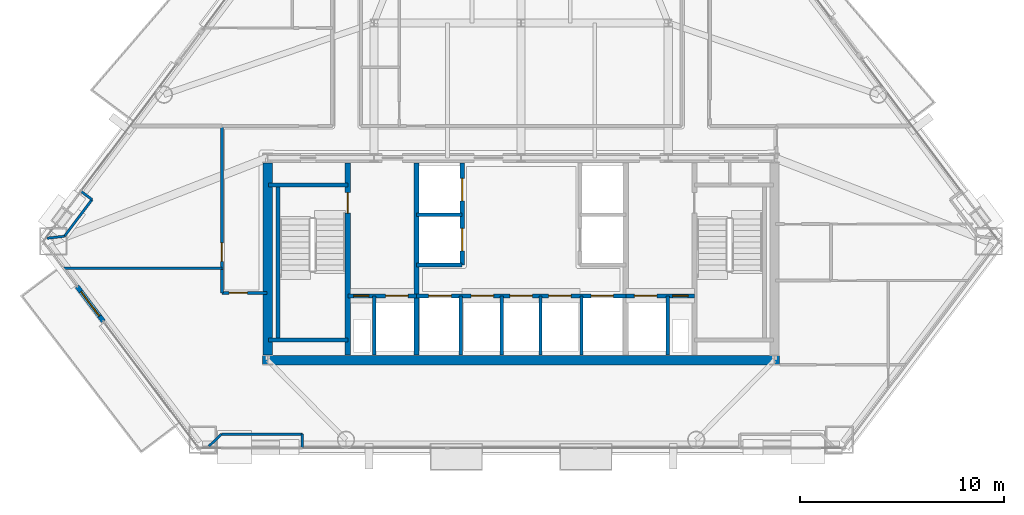
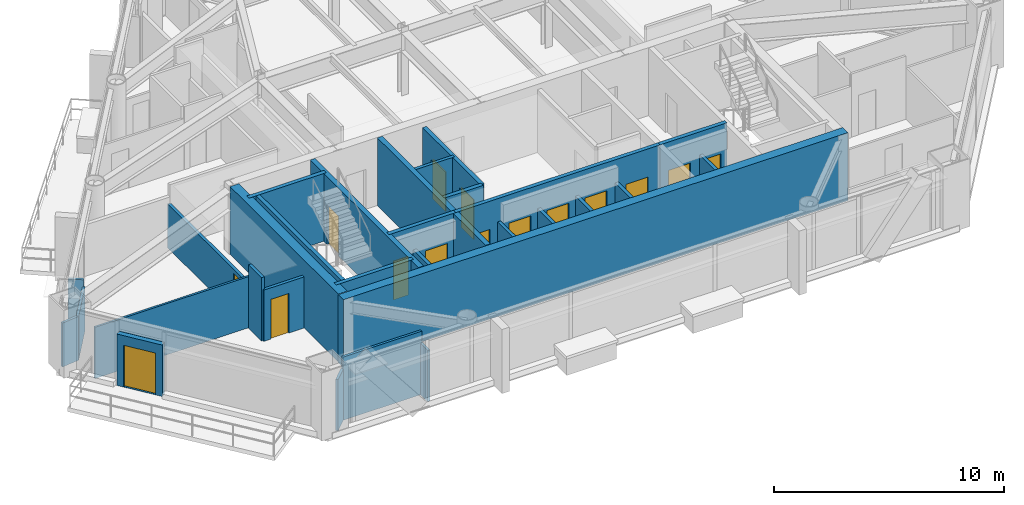
# One storey, part 9 of 14: 30 walls, 15 doors, 15 openings.
"""IFC4 building model written with IfcOpenShell, lengths in metres."""

from ifc_helpers import new_model, si_unit, direction, frame, frame_2d, origin, place, context, subcontext, project, spatial, rectangle, extrude, material, layer, layer_set, type_object, element, fill, save


model = new_model("IFC4")

# Units and contexts
model_context = context("Model", 3, precision=1e-05, world=origin(), true_north=direction((0.0, 1.0)))
body_context = subcontext(model_context, "Body", "Model", "MODEL_VIEW")
ifc_project = project(units=[si_unit("LENGTHUNIT", "METRE"), si_unit("AREAUNIT", "SQUARE_METRE"), si_unit("VOLUMEUNIT", "CUBIC_METRE"), si_unit("PLANEANGLEUNIT", "RADIAN"), si_unit("MASSUNIT", "GRAM", prefix="KILO")], contexts=[model_context])

# Site, building, storey
site_placement = place(None, origin())
site = spatial("IfcSite", under=ifc_project, at=site_placement, CompositionType="ELEMENT")
building_placement = place(site_placement, origin())
building = spatial("IfcBuilding", under=site, at=building_placement, Name="Talgorran Terracotta Tower", CompositionType="ELEMENT")
storey_placement = place(building_placement, frame((0.0, 0.0, 53.10009765625)))
storey = spatial("IfcBuildingStorey", under=building, at=storey_placement, Name="L13", CompositionType="ELEMENT", Elevation=53.10009765625)

# Wall, opening, door
ifc_material_1 = material(Name="Concrete C40/50", Category="concrete")
ifc_layer_1 = layer(ifc_material_1, 0.239990234375, Name="WT_BALCONY_SPAND")
ifc_layer_set_1 = layer_set([ifc_layer_1], Name="Concrete C40/50")
wall_type_1 = type_object("IfcWallType", Name="WT_BALCONY_SPAND", PredefinedType="STANDARD", material=ifc_layer_set_1)
wall_1_placement = place(storey_placement, frame((-21.727783203125, -10.4892578125, -0.01513671875), z_axis=(0.0, 0.0, 1.0), x_axis=(0.601441023505, -0.798917201746, 0.0)))
wall_1 = element("IfcWall", 1, at=wall_1_placement, inside=storey, type_object=wall_type_1, Name="WL-L13-BALP-BAL-SW", PredefinedType="STANDARD", context=body_context, shape_type="SweptSolid", body=[
    extrude(rectangle(XDim=2.14013671875, YDim=0.239990234375, at=frame_2d((1.070068359375, 0.0))), origin(), (0.0, 0.0, 1.0), 2.728515625),
])
opening_1_placement = place(wall_1_placement, frame((0.320068359375, 0.0, 0.014892578125)))
opening_1 = element("IfcOpeningElement", 2, at=opening_1_placement, cuts=wall_1, Name="Opening D-BAL-L13-3", PredefinedType="OPENING", context=body_context, shape_type="SweptSolid", body=[
    extrude(rectangle(XDim=1.506, YDim=2.203951171875, at=frame_2d((0.75, 1.10205078125))), frame((0.0, 0.1298828125, 0.0), z_axis=(0.0, -1.0, 0.0), x_axis=(1.0, 0.0, 0.0)), (0.0, 0.0, 1.0), 0.260009765625),
])
ifc_material_2 = material(Name="Thermally Broken Aluminium", Category="aluminium")
door_type_1 = type_object("IfcDoorType", Name="DT_BALC_1500", OperationType="SLIDING_TO_RIGHT", PredefinedType="DOOR", material=ifc_material_2)
door_1_placement = place(opening_1_placement, origin())
door_1 = element("IfcDoor", 3, at=door_1_placement, inside=storey, type_object=door_type_1, Name="DR-L13-BAL-BAL-SW", OperationType="SLIDING_TO_RIGHT", OverallHeight=2.199951171875, OverallWidth=1.5, PredefinedType="DOOR", context=body_context, shape_type="SweptSolid", body=[
    extrude(rectangle(XDim=1.5, YDim=2.199951171875, at=frame_2d((0.75, 1.10009765625))), frame((0.0, 0.02490234375, 0.0), z_axis=(0.0, -1.0, 0.0), x_axis=(1.0, 0.0, 0.0)), (0.0, 0.0, 1.0), 0.050048828125),
])
fill(opening_1, door_1)

# Walls
ifc_material_3 = material(Name="Concrete C50/60", Category="concrete")
ifc_layer_2 = layer(ifc_material_3, 0.199951171875, Name="WT_CORE_200")
ifc_layer_set_2 = layer_set([ifc_layer_2], Name="Concrete C50/60")
wall_type_2 = type_object("IfcWallType", Name="WT_CORE_200", PredefinedType="SOLIDWALL", material=ifc_layer_set_2)
for number, where, z_axis, x_axis, name in (
    (4, (-12.35009765625, -5.52001953125, 0.0), (0.0, 0.0, 1.0), (1.0, 0.0, 0.0), "WL-L13-CW-ST1-N"),
    (5, (-12.35009765625, -13.10009765625, 0.0), (0.0, 0.0, 1.0), (1.0, 0.0, 0.0), "WL-L13-CW-ST1-S"),
):
    element("IfcWall", number, at=place(storey_placement, frame(where, z_axis=z_axis, x_axis=x_axis)), inside=storey, type_object=wall_type_2, Name=name, PredefinedType="SOLIDWALL", context=body_context, shape_type="SweptSolid", body=[
        extrude(rectangle(XDim=3.8701171875, YDim=0.199951171875, at=frame_2d((1.93505859375, 0.0))), origin(), (0.0, 0.0, 1.0), 3.599853515625),
    ])
wall_2_placement = place(storey_placement, frame((-11.89990234375, -13.10009765625, 0.0), z_axis=(0.0, 0.0, 1.0), x_axis=(0.0, 1.0, 0.0)))
element("IfcWall", 6, at=wall_2_placement, inside=storey, type_object=wall_type_2, Name="WL-L13-CW-ST1-W", PredefinedType="SOLIDWALL", context=body_context, shape_type="SweptSolid", body=[
    extrude(rectangle(XDim=7.580078125, YDim=0.199951171875, at=frame_2d((3.7900390625, 0.0))), origin(), (0.0, 0.0, 1.0), 3.599853515625),
])

# Wall, openings, doors
wall_3_placement = place(storey_placement, frame((-8.47998046875, -10.949951171875, 0.0), z_axis=(0.0, 0.0, 1.0), x_axis=(1.0, 0.0, 0.0)))
wall_3 = element("IfcWall", 7, at=wall_3_placement, inside=storey, type_object=wall_type_2, Name="WL-L13-CW-H-SBW", PredefinedType="SOLIDWALL", context=body_context, shape_type="SweptSolid", body=[
    extrude(rectangle(XDim=3.35986328125, YDim=0.199951171875, at=frame_2d((1.679931640625, 0.0))), origin(), (0.0, 0.0, 1.0), 3.599853515625),
])
opening_2_placement = place(wall_3_placement, frame((0.280029296875, 0.0, 0.0)))
opening_2 = element("IfcOpeningElement", 8, at=opening_2_placement, cuts=wall_3, Name="Opening DR-RSW", PredefinedType="OPENING", context=body_context, shape_type="SweptSolid", body=[
    extrude(rectangle(XDim=0.756, YDim=2.054048828125, at=frame_2d((0.375, 1.027099609375))), frame((0.0, 0.10986328125, 0.0), z_axis=(0.0, -1.0, 0.0), x_axis=(1.0, 0.0, 0.0)), (0.0, 0.0, 1.0), 0.219970703125),
])
opening_3_placement = place(wall_3_placement, frame((1.85009765625, 0.0, 0.0)))
opening_3 = element("IfcOpeningElement", 9, at=opening_3_placement, cuts=wall_3, Name="Opening LD-FFL1", PredefinedType="OPENING", context=body_context, shape_type="SweptSolid", body=[
    extrude(rectangle(XDim=1.10609765625, YDim=2.10409765625, at=frame_2d((0.550048828125, 1.052001953125))), frame((0.0, 0.10986328125, 0.0), z_axis=(0.0, -1.0, 0.0), x_axis=(1.0, 0.0, 0.0)), (0.0, 0.0, 1.0), 0.219970703125),
])
ifc_material_4 = material(Name="Brushed Stainless Steel Grade 304", Category="steel")
door_type_2 = type_object("IfcDoorType", Name="DT_LIFT_LD1100", OperationType="DOUBLE_DOOR_SLIDING", PredefinedType="DOOR", material=ifc_material_4)
door_2_placement = place(opening_3_placement, origin())
door_2 = element("IfcDoor", 10, at=door_2_placement, inside=storey, type_object=door_type_2, Name="L13 Lift Landing Door LD-FFL1", OperationType="DOUBLE_DOOR_SLIDING", OverallHeight=2.10009765625, OverallWidth=1.10009765625, PredefinedType="DOOR", context=body_context, shape_type="SweptSolid", body=[
    extrude(rectangle(XDim=1.10009765625, YDim=2.10009765625, at=frame_2d((0.550048828125, 1.050048828125))), frame((0.0, 0.02490234375, 0.0), z_axis=(0.0, -1.0, 0.0), x_axis=(1.0, 0.0, 0.0)), (0.0, 0.0, 1.0), 0.050048828125),
])
fill(opening_3, door_2)
ifc_material_5 = material(Name="Fire-Rated Pressed Steel", Category="steel")
door_type_3 = type_object("IfcDoorType", Name="DT_RISER_750", OperationType="NOTDEFINED", PredefinedType="DOOR", material=ifc_material_5)
door_3_placement = place(opening_2_placement, origin())
door_3 = element("IfcDoor", 11, at=door_3_placement, inside=storey, type_object=door_type_3, Name="DR-RSW", OperationType="SINGLE_SWING_LEFT", OverallHeight=2.050048828125, OverallWidth=0.75, PredefinedType="DOOR", context=body_context, shape_type="SweptSolid", body=[
    extrude(rectangle(XDim=0.75, YDim=2.050048828125, at=frame_2d((0.375, 1.02490234375))), frame((0.0, 0.02490234375, 0.0), z_axis=(0.0, -1.0, 0.0), x_axis=(1.0, 0.0, 0.0)), (0.0, 0.0, 1.0), 0.050048828125),
])
fill(opening_2, door_3)

wall_4_placement = place(storey_placement, frame((-5.1201171875, -10.949951171875, 0.0), z_axis=(0.0, 0.0, 1.0), x_axis=(1.0, 0.0, 0.0)))
wall_4 = element("IfcWall", 12, at=wall_4_placement, inside=storey, type_object=wall_type_2, Name="WL-L13-CW-H-SBC", PredefinedType="SOLIDWALL", context=body_context, shape_type="SweptSolid", body=[
    extrude(rectangle(XDim=10.240234375, YDim=0.199951171875, at=frame_2d((5.1201171875, 0.0))), origin(), (0.0, 0.0, 1.0), 3.599853515625),
])
opening_4_placement = place(wall_4_placement, frame((0.60009765625, 0.0, 0.0)))
opening_4 = element("IfcOpeningElement", 13, at=opening_4_placement, cuts=wall_4, Name="Opening LD-OB1", PredefinedType="OPENING", context=body_context, shape_type="SweptSolid", body=[
    extrude(rectangle(XDim=1.10609765625, YDim=2.10409765625, at=frame_2d((0.550048828125, 1.052001953125))), frame((0.0, 0.10986328125, 0.0), z_axis=(0.0, -1.0, 0.0), x_axis=(1.0, 0.0, 0.0)), (0.0, 0.0, 1.0), 0.219970703125),
])
opening_5_placement = place(wall_4_placement, frame((2.669921875, 0.0, 0.0)))
opening_5 = element("IfcOpeningElement", 14, at=opening_5_placement, cuts=wall_4, Name="Opening LD-PLH1", PredefinedType="OPENING", context=body_context, shape_type="SweptSolid", body=[
    extrude(rectangle(XDim=1.10609765625, YDim=2.10409765625, at=frame_2d((0.550048828125, 1.052001953125))), frame((0.0, 0.10986328125, 0.0), z_axis=(0.0, -1.0, 0.0), x_axis=(1.0, 0.0, 0.0)), (0.0, 0.0, 1.0), 0.219970703125),
])
opening_6_placement = place(wall_4_placement, frame((4.570068359375, 0.0, 0.0)))
opening_6 = element("IfcOpeningElement", 15, at=opening_6_placement, cuts=wall_4, Name="Opening LD-PLH2", PredefinedType="OPENING", context=body_context, shape_type="SweptSolid", body=[
    extrude(rectangle(XDim=1.10609765625, YDim=2.10409765625, at=frame_2d((0.550048828125, 1.052001953125))), frame((0.0, 0.10986328125, 0.0), z_axis=(0.0, -1.0, 0.0), x_axis=(1.0, 0.0, 0.0)), (0.0, 0.0, 1.0), 0.219970703125),
])
opening_7_placement = place(wall_4_placement, frame((6.469970703125, 0.0, 0.0)))
opening_7 = element("IfcOpeningElement", 16, at=opening_7_placement, cuts=wall_4, Name="Opening LD-PLH3", PredefinedType="OPENING", context=body_context, shape_type="SweptSolid", body=[
    extrude(rectangle(XDim=1.10609765625, YDim=2.10409765625, at=frame_2d((0.550048828125, 1.052001953125))), frame((0.0, 0.10986328125, 0.0), z_axis=(0.0, -1.0, 0.0), x_axis=(1.0, 0.0, 0.0)), (0.0, 0.0, 1.0), 0.219970703125),
])
opening_8_placement = place(wall_4_placement, frame((8.5400390625, 0.0, 0.0)))
opening_8 = element("IfcOpeningElement", 17, at=opening_8_placement, cuts=wall_4, Name="Opening LD-SVL1", PredefinedType="OPENING", context=body_context, shape_type="SweptSolid", body=[
    extrude(rectangle(XDim=1.10609765625, YDim=2.10409765625, at=frame_2d((0.550048828125, 1.052001953125))), frame((0.0, 0.10986328125, 0.0), z_axis=(0.0, -1.0, 0.0), x_axis=(1.0, 0.0, 0.0)), (0.0, 0.0, 1.0), 0.219970703125),
])
door_4_placement = place(opening_4_placement, origin())
door_4 = element("IfcDoor", 18, at=door_4_placement, inside=storey, type_object=door_type_2, Name="L13 Lift Landing Door LD-OB1", OperationType="DOUBLE_DOOR_SLIDING", OverallHeight=2.10009765625, OverallWidth=1.10009765625, PredefinedType="DOOR", context=body_context, shape_type="SweptSolid", body=[
    extrude(rectangle(XDim=1.10009765625, YDim=2.10009765625, at=frame_2d((0.550048828125, 1.050048828125))), frame((0.0, 0.02490234375, 0.0), z_axis=(0.0, -1.0, 0.0), x_axis=(1.0, 0.0, 0.0)), (0.0, 0.0, 1.0), 0.050048828125),
])
fill(opening_4, door_4)
door_5_placement = place(opening_5_placement, origin())
door_5 = element("IfcDoor", 19, at=door_5_placement, inside=storey, type_object=door_type_2, Name="L13 Lift Landing Door LD-PLH1", OperationType="DOUBLE_DOOR_SLIDING", OverallHeight=2.10009765625, OverallWidth=1.10009765625, PredefinedType="DOOR", context=body_context, shape_type="SweptSolid", body=[
    extrude(rectangle(XDim=1.10009765625, YDim=2.10009765625, at=frame_2d((0.550048828125, 1.050048828125))), frame((0.0, 0.02490234375, 0.0), z_axis=(0.0, -1.0, 0.0), x_axis=(1.0, 0.0, 0.0)), (0.0, 0.0, 1.0), 0.050048828125),
])
fill(opening_5, door_5)
door_6_placement = place(opening_6_placement, origin())
door_6 = element("IfcDoor", 20, at=door_6_placement, inside=storey, type_object=door_type_2, Name="L13 Lift Landing Door LD-PLH2", OperationType="DOUBLE_DOOR_SLIDING", OverallHeight=2.10009765625, OverallWidth=1.10009765625, PredefinedType="DOOR", context=body_context, shape_type="SweptSolid", body=[
    extrude(rectangle(XDim=1.10009765625, YDim=2.10009765625, at=frame_2d((0.550048828125, 1.050048828125))), frame((0.0, 0.02490234375, 0.0), z_axis=(0.0, -1.0, 0.0), x_axis=(1.0, 0.0, 0.0)), (0.0, 0.0, 1.0), 0.050048828125),
])
fill(opening_6, door_6)
door_7_placement = place(opening_7_placement, origin())
door_7 = element("IfcDoor", 21, at=door_7_placement, inside=storey, type_object=door_type_2, Name="L13 Lift Landing Door LD-PLH3", OperationType="DOUBLE_DOOR_SLIDING", OverallHeight=2.10009765625, OverallWidth=1.10009765625, PredefinedType="DOOR", context=body_context, shape_type="SweptSolid", body=[
    extrude(rectangle(XDim=1.10009765625, YDim=2.10009765625, at=frame_2d((0.550048828125, 1.050048828125))), frame((0.0, 0.02490234375, 0.0), z_axis=(0.0, -1.0, 0.0), x_axis=(1.0, 0.0, 0.0)), (0.0, 0.0, 1.0), 0.050048828125),
])
fill(opening_7, door_7)
door_8_placement = place(opening_8_placement, origin())
door_8 = element("IfcDoor", 22, at=door_8_placement, inside=storey, type_object=door_type_2, Name="L13 Lift Landing Door LD-SVL1", OperationType="DOUBLE_DOOR_SLIDING", OverallHeight=2.10009765625, OverallWidth=1.10009765625, PredefinedType="DOOR", context=body_context, shape_type="SweptSolid", body=[
    extrude(rectangle(XDim=1.10009765625, YDim=2.10009765625, at=frame_2d((0.550048828125, 1.050048828125))), frame((0.0, 0.02490234375, 0.0), z_axis=(0.0, -1.0, 0.0), x_axis=(1.0, 0.0, 0.0)), (0.0, 0.0, 1.0), 0.050048828125),
])
fill(opening_8, door_8)

wall_5_placement = place(storey_placement, frame((5.1201171875, -10.949951171875, 0.0), z_axis=(0.0, 0.0, 1.0), x_axis=(1.0, 0.0, 0.0)))
wall_5 = element("IfcWall", 23, at=wall_5_placement, inside=storey, type_object=wall_type_2, Name="WL-L13-CW-H-SBE", PredefinedType="SOLIDWALL", context=body_context, shape_type="SweptSolid", body=[
    extrude(rectangle(XDim=3.35986328125, YDim=0.199951171875, at=frame_2d((1.679931640625, 0.0))), origin(), (0.0, 0.0, 1.0), 3.599853515625),
])
opening_9_placement = place(wall_5_placement, frame((0.419921875, 0.0, 0.0)))
opening_9 = element("IfcOpeningElement", 24, at=opening_9_placement, cuts=wall_5, Name="Opening LD-FFL2", PredefinedType="OPENING", context=body_context, shape_type="SweptSolid", body=[
    extrude(rectangle(XDim=1.10609765625, YDim=2.10409765625, at=frame_2d((0.550048828125, 1.052001953125))), frame((0.0, 0.10986328125, 0.0), z_axis=(0.0, -1.0, 0.0), x_axis=(1.0, 0.0, 0.0)), (0.0, 0.0, 1.0), 0.219970703125),
])
opening_10_placement = place(wall_5_placement, frame((2.300048828125, 0.0, 0.0)))
opening_10 = element("IfcOpeningElement", 25, at=opening_10_placement, cuts=wall_5, Name="Opening DR-RSE", PredefinedType="OPENING", context=body_context, shape_type="SweptSolid", body=[
    extrude(rectangle(XDim=0.756, YDim=2.054048828125, at=frame_2d((0.375, 1.027099609375))), frame((0.0, 0.10986328125, 0.0), z_axis=(0.0, -1.0, 0.0), x_axis=(1.0, 0.0, 0.0)), (0.0, 0.0, 1.0), 0.219970703125),
])
door_9_placement = place(opening_9_placement, origin())
door_9 = element("IfcDoor", 26, at=door_9_placement, inside=storey, type_object=door_type_2, Name="L13 Lift Landing Door LD-FFL2", OperationType="DOUBLE_DOOR_SLIDING", OverallHeight=2.10009765625, OverallWidth=1.10009765625, PredefinedType="DOOR", context=body_context, shape_type="SweptSolid", body=[
    extrude(rectangle(XDim=1.10009765625, YDim=2.10009765625, at=frame_2d((0.550048828125, 1.050048828125))), frame((0.0, 0.02490234375, 0.0), z_axis=(0.0, -1.0, 0.0), x_axis=(1.0, 0.0, 0.0)), (0.0, 0.0, 1.0), 0.050048828125),
])
fill(opening_9, door_9)
door_10_placement = place(opening_10_placement, origin())
door_10 = element("IfcDoor", 27, at=door_10_placement, inside=storey, type_object=door_type_3, Name="DR-RSE", OperationType="SINGLE_SWING_RIGHT", OverallHeight=2.050048828125, OverallWidth=0.75, PredefinedType="DOOR", context=body_context, shape_type="SweptSolid", body=[
    extrude(rectangle(XDim=0.75, YDim=2.050048828125, at=frame_2d((0.375, 1.02490234375))), frame((0.0, 0.02490234375, 0.0), z_axis=(0.0, -1.0, 0.0), x_axis=(1.0, 0.0, 0.0)), (0.0, 0.0, 1.0), 0.050048828125),
])
fill(opening_10, door_10)

wall_6_placement = place(storey_placement, frame((-2.8798828125, -9.449951171875, 0.0), z_axis=(0.0, 0.0, 1.0), x_axis=(0.0, 1.0, 0.0)))
wall_6 = element("IfcWall", 28, at=wall_6_placement, inside=storey, type_object=wall_type_2, Name="WL-L13-CW-V-W3", PredefinedType="SOLIDWALL", context=body_context, shape_type="SweptSolid", body=[
    extrude(rectangle(XDim=5.0, YDim=0.199951171875, at=frame_2d((2.5, 0.0))), origin(), (0.0, 0.0, 1.0), 3.349853515625),
])
opening_11_placement = place(wall_6_placement, frame((0.699951171875, 0.0, 0.0)))
opening_11 = element("IfcOpeningElement", 29, at=opening_11_placement, cuts=wall_6, Name="Opening LD-PLL1", PredefinedType="OPENING", context=body_context, shape_type="SweptSolid", body=[
    extrude(rectangle(XDim=1.10609765625, YDim=2.10409765625, at=frame_2d((0.550048828125, 1.052001953125))), frame((0.0, 0.10986328125, 0.0), z_axis=(0.0, -1.0, 0.0), x_axis=(1.0, 0.0, 0.0)), (0.0, 0.0, 1.0), 0.219970703125),
])
opening_12_placement = place(wall_6_placement, frame((3.14990234375, 0.0, 0.0)))
opening_12 = element("IfcOpeningElement", 30, at=opening_12_placement, cuts=wall_6, Name="Opening LD-PLL2", PredefinedType="OPENING", context=body_context, shape_type="SweptSolid", body=[
    extrude(rectangle(XDim=1.10609765625, YDim=2.10409765625, at=frame_2d((0.550048828125, 1.052001953125))), frame((0.0, 0.10986328125, 0.0), z_axis=(0.0, -1.0, 0.0), x_axis=(1.0, 0.0, 0.0)), (0.0, 0.0, 1.0), 0.219970703125),
])
door_11_placement = place(opening_11_placement, origin())
door_11 = element("IfcDoor", 31, at=door_11_placement, inside=storey, type_object=door_type_2, Name="L13 Lift Landing Door LD-PLL1", OperationType="DOUBLE_DOOR_SLIDING", OverallHeight=2.10009765625, OverallWidth=1.10009765625, PredefinedType="DOOR", context=body_context, shape_type="SweptSolid", body=[
    extrude(rectangle(XDim=1.10009765625, YDim=2.10009765625, at=frame_2d((0.550048828125, 1.050048828125))), frame((0.0, 0.02490234375, 0.0), z_axis=(0.0, -1.0, 0.0), x_axis=(1.0, 0.0, 0.0)), (0.0, 0.0, 1.0), 0.050048828125),
])
fill(opening_11, door_11)
door_12_placement = place(opening_12_placement, origin())
door_12 = element("IfcDoor", 32, at=door_12_placement, inside=storey, type_object=door_type_2, Name="L13 Lift Landing Door LD-PLL2", OperationType="DOUBLE_DOOR_SLIDING", OverallHeight=2.10009765625, OverallWidth=1.10009765625, PredefinedType="DOOR", context=body_context, shape_type="SweptSolid", body=[
    extrude(rectangle(XDim=1.10009765625, YDim=2.10009765625, at=frame_2d((0.550048828125, 1.050048828125))), frame((0.0, 0.02490234375, 0.0), z_axis=(0.0, -1.0, 0.0), x_axis=(1.0, 0.0, 0.0)), (0.0, 0.0, 1.0), 0.050048828125),
])
fill(opening_12, door_12)

# Wall
wall_7_placement = place(storey_placement, frame((-5.1201171875, -9.449951171875, 0.0), z_axis=(0.0, 0.0, 1.0), x_axis=(1.0, 0.0, 0.0)))
element("IfcWall", 33, at=wall_7_placement, inside=storey, type_object=wall_type_2, Name="WL-L13-CW-H-W4", PredefinedType="SOLIDWALL", context=body_context, shape_type="SweptSolid", body=[
    extrude(rectangle(XDim=2.240234375, YDim=0.199951171875, at=frame_2d((1.1201171875, 0.0))), origin(), (0.0, 0.0, 1.0), 3.349853515625),
])

# Wall, opening, door
ifc_layer_3 = layer(ifc_material_3, 0.25, Name="WT_CORE_250")
ifc_layer_set_3 = layer_set([ifc_layer_3], Name="Concrete C50/60")
wall_type_3 = type_object("IfcWallType", Name="WT_CORE_250", PredefinedType="SHEAR", material=ifc_layer_set_3)
wall_8_placement = place(storey_placement, frame((-8.47998046875, -13.85009765625, 0.0), z_axis=(0.0, 0.0, 1.0), x_axis=(0.0, 1.0, 0.0)))
wall_8 = element("IfcWall", 34, at=wall_8_placement, inside=storey, type_object=wall_type_3, Name="WL-L13-CW-V-W1", PredefinedType="SHEAR", context=body_context, shape_type="SweptSolid", body=[
    extrude(rectangle(XDim=9.400146484375, YDim=0.25, at=frame_2d((4.7001953125, 0.0))), origin(), (0.0, 0.0, 1.0), 3.599853515625),
])
opening_13_placement = place(wall_8_placement, frame((6.949951171875, 0.0, 0.0)))
opening_13 = element("IfcOpeningElement", 35, at=opening_13_placement, cuts=wall_8, Name="Opening DR-ST01", PredefinedType="OPENING", context=body_context, shape_type="SweptSolid", body=[
    extrude(rectangle(XDim=1.006, YDim=2.10409765625, at=frame_2d((0.5, 1.052001953125))), frame((0.0, 0.135009765625, 0.0), z_axis=(0.0, -1.0, 0.0), x_axis=(1.0, 0.0, 0.0)), (0.0, 0.0, 1.0), 0.27001953125),
])
door_type_4 = type_object("IfcDoorType", Name="DT_FIRE_1000", OperationType="NOTDEFINED", PredefinedType="DOOR", material=ifc_material_5)
door_13_placement = place(opening_13_placement, origin())
door_13 = element("IfcDoor", 36, at=door_13_placement, inside=storey, type_object=door_type_4, Name="DR-ST01", OperationType="SINGLE_SWING_LEFT", OverallHeight=2.10009765625, OverallWidth=1.0, PredefinedType="DOOR", context=body_context, shape_type="SweptSolid", body=[
    extrude(rectangle(XDim=1.0, YDim=2.10009765625, at=frame_2d((0.5, 1.050048828125))), frame((0.0, 0.02490234375, 0.0), z_axis=(0.0, -1.0, 0.0), x_axis=(1.0, 0.0, 0.0)), (0.0, 0.0, 1.0), 0.050048828125),
])
fill(opening_13, door_13)

# Walls
wall_9_placement = place(storey_placement, frame((-5.1201171875, -13.85009765625, 0.0), z_axis=(0.0, 0.0, 1.0), x_axis=(0.0, 1.0, 0.0)))
element("IfcWall", 37, at=wall_9_placement, inside=storey, type_object=wall_type_3, Name="WL-L13-CW-V-W2", PredefinedType="SHEAR", context=body_context, shape_type="SweptSolid", body=[
    extrude(rectangle(XDim=9.400146484375, YDim=0.25, at=frame_2d((4.7001953125, 0.0))), origin(), (0.0, 0.0, 1.0), 3.599853515625),
])
ifc_material_6 = material(Name="Concrete C65/80", Category="concrete")
ifc_layer_4 = layer(ifc_material_6, 0.449951171875, Name="WT_CORE_EXT")
ifc_layer_set_4 = layer_set([ifc_layer_4], Name="Concrete C65/80")
wall_type_4 = type_object("IfcWallType", Name="WT_CORE_EXT", PredefinedType="SHEAR", material=ifc_layer_set_4)
wall_10_placement = place(storey_placement, frame((-12.64990234375, -14.10009765625, 0.0), z_axis=(0.0, 0.0, 1.0), x_axis=(1.0, 0.0, 0.0)))
element("IfcWall", 38, at=wall_10_placement, inside=storey, type_object=wall_type_4, Name="WL-L13-CW-OUT-S", PredefinedType="SHEAR", context=body_context, shape_type="SweptSolid", body=[
    extrude(rectangle(XDim=25.2998046875, YDim=0.449951171875, at=frame_2d((12.64990234375, 0.0))), origin(), (0.0, 0.0, 1.0), 3.599853515625),
])
wall_11_placement = place(storey_placement, frame((-12.39990234375, -13.85009765625, 0.0), z_axis=(0.0, 0.0, 1.0), x_axis=(0.0, 1.0, 0.0)))
element("IfcWall", 39, at=wall_11_placement, inside=storey, type_object=wall_type_4, Name="WL-L13-CW-OUT-W", PredefinedType="SHEAR", context=body_context, shape_type="SweptSolid", body=[
    extrude(rectangle(XDim=9.400146484375, YDim=0.449951171875, at=frame_2d((4.7001953125, 0.0))), origin(), (0.0, 0.0, 1.0), 3.599853515625),
])

# Wall, opening, door
ifc_material_7 = material(Name="Fire-Rated Steel Stud Plasterboard", Category="steel")
ifc_layer_5 = layer(ifc_material_7, 0.14990234375, Name="WT_FIRE_150")
ifc_layer_set_5 = layer_set([ifc_layer_5], Name="Fire-Rated Steel Stud Plasterboard")
wall_type_5 = type_object("IfcWallType", Name="WT_FIRE_150", PredefinedType="PARTITIONING", material=ifc_layer_set_5)
wall_12_placement = place(storey_placement, frame((-14.639892578125, -9.659912109375, 0.0), z_axis=(0.0, 0.0, 1.0), x_axis=(0.0, 1.0, 0.0)))
wall_12 = element("IfcWall", 40, at=wall_12_placement, inside=storey, type_object=wall_type_5, Name="WL-L13-W-L13-R01", PredefinedType="PARTITIONING", context=body_context, shape_type="SweptSolid", body=[
    extrude(rectangle(XDim=7.02001953125, YDim=0.14990234375, at=frame_2d((3.510009765625, 0.0))), origin(), (0.0, 0.0, 1.0), 2.324951171875),
])
opening_14_placement = place(wall_12_placement, frame((0.39990234375, 0.0, 0.0)))
opening_14 = element("IfcOpeningElement", 41, at=opening_14_placement, cuts=wall_12, Name="Opening DR-L13-R01", PredefinedType="OPENING", context=body_context, shape_type="SweptSolid", body=[
    extrude(rectangle(XDim=0.90590234375, YDim=2.10409765625, at=frame_2d((0.449951171875, 1.052001953125))), frame((0.0, 0.0849609375, 0.0), z_axis=(0.0, -1.0, 0.0), x_axis=(1.0, 0.0, 0.0)), (0.0, 0.0, 1.0), 0.169921875),
])
ifc_material_8 = material(Name="Fire-Rated Timber Core", Category="wood")
door_type_5 = type_object("IfcDoorType", Name="DT_FIRE_900", OperationType="NOTDEFINED", PredefinedType="DOOR", material=ifc_material_8)
door_14_placement = place(opening_14_placement, origin())
door_14 = element("IfcDoor", 42, at=door_14_placement, inside=storey, type_object=door_type_5, Name="DR-L13-R01", OperationType="SINGLE_SWING_LEFT", OverallHeight=2.10009765625, OverallWidth=0.89990234375, PredefinedType="DOOR", context=body_context, shape_type="SweptSolid", body=[
    extrude(rectangle(XDim=0.89990234375, YDim=2.10009765625, at=frame_2d((0.449951171875, 1.050048828125))), frame((0.0, 0.02490234375, 0.0), z_axis=(0.0, -1.0, 0.0), x_axis=(1.0, 0.0, 0.0)), (0.0, 0.0, 1.0), 0.050048828125),
])
fill(opening_14, door_14)

wall_13_placement = place(storey_placement, frame((-14.639892578125, -10.800048828125, 0.0), z_axis=(0.0, 0.0, 1.0), x_axis=(1.0, 0.0, 0.0)))
wall_13 = element("IfcWall", 43, at=wall_13_placement, inside=storey, type_object=wall_type_5, Name="WL-L13-W-L13-R03", PredefinedType="PARTITIONING", context=body_context, shape_type="SweptSolid", body=[
    extrude(rectangle(XDim=2.199951171875, YDim=0.14990234375, at=frame_2d((1.10009765625, 0.0))), origin(), (0.0, 0.0, 1.0), 2.71337890625),
])
opening_15_placement = place(wall_13_placement, frame((0.3486328125, 0.0, 0.0)))
opening_15 = element("IfcOpeningElement", 44, at=opening_15_placement, cuts=wall_13, Name="Opening DR-L13-R02", PredefinedType="OPENING", context=body_context, shape_type="SweptSolid", body=[
    extrude(rectangle(XDim=0.90590234375, YDim=2.10409765625, at=frame_2d((0.449951171875, 1.052001953125))), frame((0.0, 0.0849609375, 0.0), z_axis=(0.0, -1.0, 0.0), x_axis=(1.0, 0.0, 0.0)), (0.0, 0.0, 1.0), 0.169921875),
])
door_15_placement = place(opening_15_placement, origin())
door_15 = element("IfcDoor", 45, at=door_15_placement, inside=storey, type_object=door_type_5, Name="DR-L13-R02", OperationType="SINGLE_SWING_RIGHT", OverallHeight=2.10009765625, OverallWidth=0.89990234375, PredefinedType="DOOR", context=body_context, shape_type="SweptSolid", body=[
    extrude(rectangle(XDim=0.89990234375, YDim=2.10009765625, at=frame_2d((0.449951171875, 1.050048828125))), frame((0.0, 0.02490234375, 0.0), z_axis=(0.0, -1.0, 0.0), x_axis=(1.0, 0.0, 0.0)), (0.0, 0.0, 1.0), 0.050048828125),
])
fill(opening_15, door_15)

# Walls
wall_14_placement = place(storey_placement, frame((-14.639892578125, -10.800048828125, 0.0), z_axis=(0.0, 0.0, 1.0), x_axis=(0.0, 1.0, 0.0)))
element("IfcWall", 46, at=wall_14_placement, inside=storey, type_object=wall_type_5, Name="WL-L13-W-L13-R02", PredefinedType="PARTITIONING", context=body_context, shape_type="SweptSolid", body=[
    extrude(rectangle(XDim=1.137939453125, YDim=0.14990234375, at=frame_2d((0.56884765625, 0.0))), origin(), (0.0, 0.0, 1.0), 3.349853515625),
])
ifc_material_9 = material(Name="Lightweight Steel Stud Partition", Category="steel")
ifc_layer_6 = layer(ifc_material_9, 0.10498046875, Name="WT_PART_110")
ifc_layer_set_6 = layer_set([ifc_layer_6], Name="Lightweight Steel Stud Partition")
wall_type_6 = type_object("IfcWallType", Name="WT_PART_110", PredefinedType="PARTITIONING", material=ifc_layer_set_6)
wall_15_placement = place(storey_placement, frame((-22.397216796875, -9.60009765625, 0.0), z_axis=(0.0, 0.0, 1.0), x_axis=(1.0, 0.0, 0.0)))
element("IfcWall", 47, at=wall_15_placement, inside=storey, type_object=wall_type_6, Name="WL-L13-W-L13-R21", PredefinedType="PARTITIONING", context=body_context, shape_type="SweptSolid", body=[
    extrude(rectangle(XDim=7.75732421875, YDim=0.10498046875, at=frame_2d((3.878662109375, 0.0))), origin(), (0.0, 0.0, 1.0), 2.71337890625),
])
ifc_material_10 = material(Name="Insulated Steel Stud Plasterboard", Category="steel")
ifc_layer_7 = layer(ifc_material_10, 0.1201171875, Name="WT_PART_120")
ifc_layer_set_7 = layer_set([ifc_layer_7], Name="Insulated Steel Stud Plasterboard")
wall_type_7 = type_object("IfcWallType", Name="WT_PART_120", PredefinedType="PARTITIONING", material=ifc_layer_set_7)
wall_16_placement = place(storey_placement, frame((-14.665771484375, -17.711181640625, 0.0), z_axis=(0.0, 0.0, 1.0), x_axis=(1.0, 0.0, 0.0)))
element("IfcWall", 48, at=wall_16_placement, inside=storey, type_object=wall_type_7, Name="WL-L13-BW-L13-01", PredefinedType="PARTITIONING", context=body_context, shape_type="SweptSolid", body=[
    extrude(rectangle(XDim=3.959228515625, YDim=0.1201171875, at=frame_2d((1.9794921875, 0.0))), origin(), (0.0, 0.0, 1.0), 3.349853515625),
])
wall_17_placement = place(storey_placement, frame((-20.99365234375, -6.2392578125, 0.0), z_axis=(0.0, 0.0, 1.0), x_axis=(-0.601407243549, -0.798942630861, 0.0)))
element("IfcWall", 49, at=wall_17_placement, inside=storey, type_object=wall_type_7, Name="WL-L13-BW-L13-08", PredefinedType="PARTITIONING", context=body_context, shape_type="SweptSolid", body=[
    extrude(rectangle(XDim=2.246826171875, YDim=0.1201171875, at=frame_2d((1.12353515625, 0.0))), origin(), (0.0, 0.0, 1.0), 2.324951171875),
])
wall_18_placement = place(storey_placement, frame((-15.271240234375, -18.307373046875, 0.0), z_axis=(0.0, 0.0, 1.0), x_axis=(0.712544720488, 0.701626696545, 0.0)))
element("IfcWall", 50, at=wall_18_placement, inside=storey, type_object=wall_type_7, Name="WL-L13-BW-L13-03", PredefinedType="PARTITIONING", context=body_context, shape_type="SweptSolid", body=[
    extrude(rectangle(XDim=0.849609375, YDim=0.1201171875, at=frame_2d((0.4248046875, 0.0))), origin(), (0.0, 0.0, 1.0), 2.71337890625),
])
wall_19_placement = place(storey_placement, frame((-22.344970703125, -8.034423828125, 0.0), z_axis=(0.0, 0.0, 1.0), x_axis=(-0.993721326988, -0.111883530014, 0.0)))
element("IfcWall", 51, at=wall_19_placement, inside=storey, type_object=wall_type_7, Name="WL-L13-BW-L13-09", PredefinedType="PARTITIONING", context=body_context, shape_type="SweptSolid", body=[
    extrude(rectangle(XDim=0.848876953125, YDim=0.1201171875, at=frame_2d((0.42431640625, 0.0))), origin(), (0.0, 0.0, 1.0), 2.324951171875),
])
for number, where, z_axis, x_axis, name in (
    (52, (-10.70654296875, -17.711181640625, 0.0), (0.0, 0.0, 1.0), (0.0, -1.0, 0.0), "WL-L13-BW-L13-02"),
    (53, (-21.52880859375, -5.836181640625, 0.0), (0.0, 0.0, 1.0), (0.798773936271, -0.601631281379, 0.0), "WL-L13-BW-L13-07"),
):
    element("IfcWall", number, at=place(storey_placement, frame(where, z_axis=z_axis, x_axis=x_axis)), inside=storey, type_object=wall_type_7, Name=name, PredefinedType="PARTITIONING", context=body_context, shape_type="SweptSolid", body=[
        extrude(rectangle(XDim=0.669921875, YDim=0.1201171875, at=frame_2d((0.3349609375, 0.0))), origin(), (0.0, 0.0, 1.0), 2.71337890625),
    ])
ifc_material_11 = material(Name="Fire-Rated Shaftwall")
ifc_layer_8 = layer(ifc_material_11, 0.159912109375, Name="WT_PART_150")
ifc_layer_set_8 = layer_set([ifc_layer_8], Name="Fire-Rated Shaftwall")
wall_type_8 = type_object("IfcWallType", Name="WT_PART_150", PredefinedType="PARTITIONING", material=ifc_layer_set_8)
wall_20_placement = place(storey_placement, frame((-5.1201171875, -6.97998046875, 0.0), z_axis=(0.0, 0.0, 1.0), x_axis=(1.0, 0.0, 0.0)))
element("IfcWall", 54, at=wall_20_placement, inside=storey, type_object=wall_type_8, Name="WL-L13-CW-PLL-DIV", PredefinedType="PARTITIONING", context=body_context, shape_type="SweptSolid", body=[
    extrude(rectangle(XDim=2.240234375, YDim=0.159912109375, at=frame_2d((1.1201171875, 0.0))), origin(), (0.0, 0.0, 1.0), 3.349853515625),
])
for number, where, z_axis, x_axis, name in (
    (55, (-7.179931640625, -13.85009765625, 0.0), (0.0, 0.0, 1.0), (0.0, 1.0, 0.0), "WL-L13-CW-RSW"),
    (56, (7.179931640625, -13.85009765625, 0.0), (0.0, 0.0, 1.0), (0.0, 1.0, 0.0), "WL-L13-CW-RSE"),
    (57, (-2.949951171875, -13.85009765625, 0.0), (0.0, 0.0, 1.0), (0.0, 1.0, 0.0), "WL-L13-CW-OB-E"),
    (58, (2.949951171875, -13.85009765625, 0.0), (0.0, 0.0, 1.0), (0.0, 1.0, 0.0), "WL-L13-CW-SV-W"),
    (59, (-0.949951171875, -13.85009765625, 0.0), (0.0, 0.0, 1.0), (0.0, 1.0, 0.0), "WL-L13-CW-PLH-D1"),
    (60, (0.949951171875, -13.85009765625, 0.0), (0.0, 0.0, 1.0), (0.0, 1.0, 0.0), "WL-L13-CW-PLH-D2"),
):
    element("IfcWall", number, at=place(storey_placement, frame(where, z_axis=z_axis, x_axis=x_axis)), inside=storey, type_object=wall_type_8, Name=name, PredefinedType="PARTITIONING", context=body_context, shape_type="SweptSolid", body=[
        extrude(rectangle(XDim=2.900146484375, YDim=0.159912109375, at=frame_2d((1.4501953125, 0.0))), origin(), (0.0, 0.0, 1.0), 2.375),
    ])

save(model, "model.ifc")
